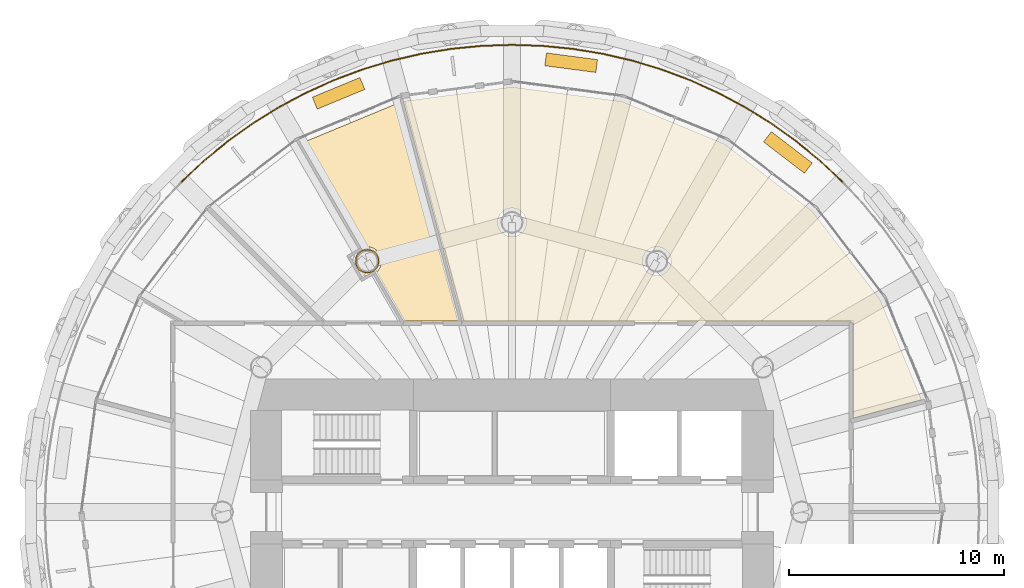
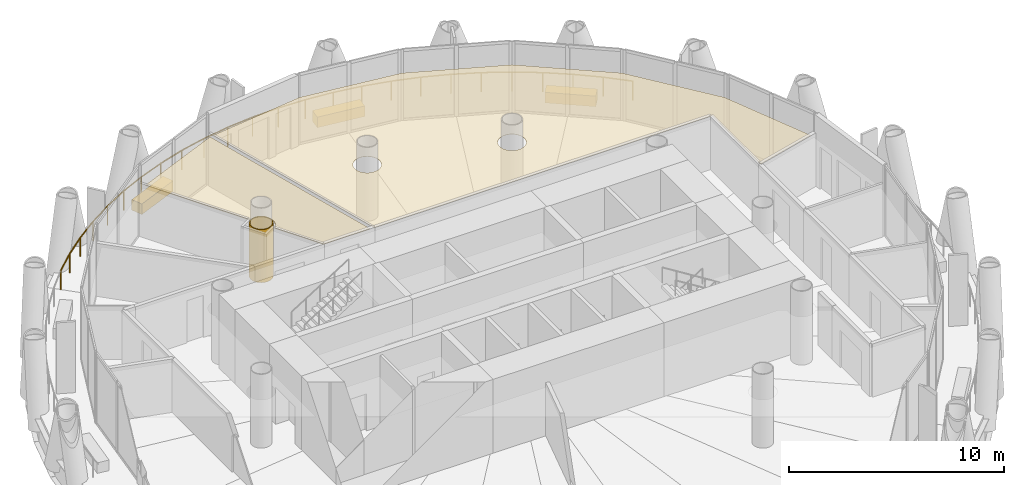
# One storey, part 15 of 15: 6 coverings, 1 railing.
"""IFC4 building model written with IfcOpenShell, lengths in metres."""

from ifc_helpers import new_model, si_unit, direction, frame, origin, origin_2d, place, context, subcontext, project, spatial, polyline, rectangle, circle, outline, extrude, material, layer, layer_set, type_object, element, save


model = new_model("IFC4")

# Units and contexts
model_context = context("Model", 3, precision=1e-05, world=origin(), true_north=direction((0.0, 1.0)))
body_context = subcontext(model_context, "Body", "Model", "MODEL_VIEW")
ifc_project = project(units=[si_unit("LENGTHUNIT", "METRE"), si_unit("AREAUNIT", "SQUARE_METRE"), si_unit("VOLUMEUNIT", "CUBIC_METRE"), si_unit("PLANEANGLEUNIT", "RADIAN"), si_unit("MASSUNIT", "GRAM", prefix="KILO")], contexts=[model_context])

# Site, building, storey
site_placement = place(None, origin())
site = spatial("IfcSite", under=ifc_project, at=site_placement, CompositionType="ELEMENT")
building_placement = place(site_placement, origin())
building = spatial("IfcBuilding", under=site, at=building_placement, Name="Qaws Media Tower", CompositionType="ELEMENT")
storey_placement = place(building_placement, frame((0.0, 0.0, 231.800048828125)))
storey = spatial("IfcBuildingStorey", under=building, at=storey_placement, Name="L53", CompositionType="ELEMENT", Elevation=231.800048828125)

# Covering
ifc_material_1 = material(Name="40 perforated acoustic panels with mineral wool backing, suspended", Category="mineral fibre")
ifc_layer_1 = layer(ifc_material_1, 0.0400390625)
ifc_layer_set_1 = layer_set([ifc_layer_1], Name="Acoustic panel ceiling 40")
covering_type_1 = type_object("IfcCoveringType", Name="Acoustic panel ceiling 40", PredefinedType="CEILING", material=ifc_layer_set_1)
covering_1_placement = place(storey_placement, frame((0.0, 0.0, 2.849853515625)))
element("IfcCovering", 1, at=covering_1_placement, inside=storey, type_object=covering_type_1, Name="CL3 ceiling L53-04 Meeting room", PredefinedType="CEILING", context=body_context, shape_type="SweptSolid", body=[
    extrude(outline(polyline([(54.767822265625, 69.091796875), (57.495361328125, 58.91259765625), (54.984375, 58.91259765625), (53.676025390625, 61.178466796875), (53.722412109375, 61.218994140625), (53.780029296875, 61.28466796875), (53.82861328125, 61.357421875), (53.8671875, 61.435791015625), (53.895263671875, 61.5185546875), (53.912353515625, 61.604248046875), (53.91796875, 61.69140625), (53.912353515625, 61.778564453125), (53.895263671875, 61.8642578125), (53.8671875, 61.947021484375), (53.82861328125, 62.025390625), (53.780029296875, 62.097900390625), (53.722412109375, 62.163818359375), (53.65673828125, 62.22119140625), (53.583984375, 62.269775390625), (53.505615234375, 62.30859375), (53.4228515625, 62.336669921875), (53.337158203125, 62.353515625), (53.25, 62.359375), (53.162841796875, 62.353515625), (53.0771484375, 62.336669921875), (53.018798828125, 62.31689453125), (50.19970703125, 67.19970703125), (54.767822265625, 69.091796875)])), origin(), (0.0, 0.0, 1.0), 0.0400390625),
])

# Railing
ifc_material_2 = material(Name="Stainless steel and glass guard", Category="steel")
railing_type = type_object("IfcRailingType", Name="Balcony guard 1100", PredefinedType="GUARDRAIL", material=ifc_material_2)
railing_placement = place(storey_placement, frame((75.397216796875, 65.397216796875, 0.0)))
element("IfcRailing", 2, at=railing_placement, inside=storey, type_object=railing_type, Name="GR1 balcony guard L53-1", PredefinedType="GUARDRAIL", context=body_context, shape_type="SweptSolid", body=[
    extrude(circle(Radius=0.02392578125, at=origin_2d()), frame((0.0, 0.0, 1.076171875), z_axis=(-0.729857696328, 0.683599109941, 0.0), x_axis=(-0.683599109941, -0.729857696328, 0.0)), (0.0, 0.0, 1.0), 1.425048828125),
    extrude(circle(Radius=0.02392578125, at=origin_2d()), frame((-1.0400390625, 0.97412109375, 1.076171875), z_axis=(-0.772933314015, 0.63448726708, 0.0), x_axis=(-0.63448726708, -0.772933314015, 0.0)), (0.0, 0.0, 1.0), 1.4248046875),
    extrude(circle(Radius=0.02392578125, at=origin_2d()), frame((-2.141357421875, 1.878173828125, 1.076171875), z_axis=(-0.812887435477, 0.582420824871, 0.0), x_axis=(-0.582420824871, -0.812887435477, 0.0)), (0.0, 0.0, 1.0), 1.4248046875),
    extrude(circle(Radius=0.02392578125, at=origin_2d()), frame((-3.299560546875, 2.7080078125, 1.076171875), z_axis=(-0.849237572214, 0.528010933541, 0.0), x_axis=(-0.528010933541, -0.849237572214, 0.0)), (0.0, 0.0, 1.0), 1.425048828125),
    extrude(circle(Radius=0.02392578125, at=origin_2d()), frame((-4.509765625, 3.46044921875, 1.076171875), z_axis=(-0.881930440508, 0.471379569038, 0.0), x_axis=(-0.471379569038, -0.881930440508, 0.0)), (0.0, 0.0, 1.0), 1.4248046875),
    extrude(circle(Radius=0.02392578125, at=origin_2d()), frame((-5.766357421875, 4.132080078125, 1.076171875), z_axis=(-0.910841168235, 0.412757030526, 0.0), x_axis=(-0.412757030526, -0.910841168235, 0.0)), (0.0, 0.0, 1.0), 1.4248046875),
    extrude(circle(Radius=0.02392578125, at=origin_2d()), frame((-7.064208984375, 4.72021484375, 1.076171875), z_axis=(-0.935913133581, 0.352230899257, 0.0), x_axis=(-0.352230899257, -0.935913133581, 0.0)), (0.0, 0.0, 1.0), 1.425048828125),
    extrude(circle(Radius=0.02392578125, at=origin_2d()), frame((-8.39794921875, 5.22216796875, 1.076171875), z_axis=(-0.956949437038, 0.290254672577, 0.0), x_axis=(-0.290254672577, -0.956949437038, 0.0)), (0.0, 0.0, 1.0), 1.4248046875),
    extrude(circle(Radius=0.02392578125, at=origin_2d()), frame((-9.761474609375, 5.6357421875, 1.076171875), z_axis=(-0.973851318993, 0.227186285888, 0.0), x_axis=(-0.227186285888, -0.973851318993, 0.0)), (0.0, 0.0, 1.0), 1.425048828125),
    extrude(circle(Radius=0.02392578125, at=origin_2d()), frame((-11.149169921875, 5.95947265625, 1.076171875), z_axis=(-0.986661217493, 0.162787106047, 0.0), x_axis=(-0.162787106047, -0.986661217493, 0.0)), (0.0, 0.0, 1.0), 1.4248046875),
    extrude(circle(Radius=0.02392578125, at=origin_2d()), frame((-12.554931640625, 6.19140625, 1.076171875), z_axis=(-0.995187008526, 0.097993969509, 0.0), x_axis=(-0.097993969509, -0.995187008526, 0.0)), (0.0, 0.0, 1.0), 1.425048828125),
    extrude(circle(Radius=0.02392578125, at=origin_2d()), frame((-13.97314453125, 6.3310546875, 1.076171875), z_axis=(-0.999464322119, 0.032727187644, 0.0), x_axis=(-0.032727187644, -0.999464322119, 0.0)), (0.0, 0.0, 1.0), 1.4248046875),
    extrude(circle(Radius=0.02392578125, at=origin_2d()), frame((-15.397216796875, 6.377685546875, 1.076171875), z_axis=(-0.999464322119, -0.032727187644, 0.0), x_axis=(0.032727187644, -0.999464322119, 0.0)), (0.0, 0.0, 1.0), 1.4248046875),
    extrude(circle(Radius=0.02392578125, at=origin_2d()), frame((-16.8212890625, 6.3310546875, 1.076171875), z_axis=(-0.995187008526, -0.097993969509, 0.0), x_axis=(0.097993969509, -0.995187008526, 0.0)), (0.0, 0.0, 1.0), 1.425048828125),
    extrude(circle(Radius=0.02392578125, at=origin_2d()), frame((-18.239501953125, 6.19140625, 1.076171875), z_axis=(-0.986661217493, -0.162787106047, 0.0), x_axis=(0.162787106047, -0.986661217493, 0.0)), (0.0, 0.0, 1.0), 1.4248046875),
    extrude(circle(Radius=0.02392578125, at=origin_2d()), frame((-19.645263671875, 5.95947265625, 1.076171875), z_axis=(-0.973851318993, -0.227186285888, 0.0), x_axis=(0.227186285888, -0.973851318993, 0.0)), (0.0, 0.0, 1.0), 1.425048828125),
    extrude(circle(Radius=0.02392578125, at=origin_2d()), frame((-21.032958984375, 5.6357421875, 1.076171875), z_axis=(-0.956949437038, -0.290254672577, 0.0), x_axis=(0.290254672577, -0.956949437038, 0.0)), (0.0, 0.0, 1.0), 1.4248046875),
    extrude(circle(Radius=0.02392578125, at=origin_2d()), frame((-22.396484375, 5.22216796875, 1.076171875), z_axis=(-0.935913133581, -0.352230899257, 0.0), x_axis=(0.352230899257, -0.935913133581, 0.0)), (0.0, 0.0, 1.0), 1.425048828125),
    extrude(circle(Radius=0.02392578125, at=origin_2d()), frame((-23.730224609375, 4.72021484375, 1.076171875), z_axis=(-0.910841168235, -0.412757030526, 0.0), x_axis=(0.412757030526, -0.910841168235, 0.0)), (0.0, 0.0, 1.0), 1.4248046875),
    extrude(circle(Radius=0.02392578125, at=origin_2d()), frame((-25.028076171875, 4.132080078125, 1.076171875), z_axis=(-0.881930440508, -0.471379569038, 0.0), x_axis=(0.471379569038, -0.881930440508, 0.0)), (0.0, 0.0, 1.0), 1.4248046875),
    extrude(circle(Radius=0.02392578125, at=origin_2d()), frame((-26.28466796875, 3.46044921875, 1.076171875), z_axis=(-0.849237572214, -0.528010933541, 0.0), x_axis=(0.528010933541, -0.849237572214, 0.0)), (0.0, 0.0, 1.0), 1.425048828125),
    extrude(circle(Radius=0.02392578125, at=origin_2d()), frame((-27.494873046875, 2.7080078125, 1.076171875), z_axis=(-0.812887435477, -0.582420824871, 0.0), x_axis=(0.582420824871, -0.812887435477, 0.0)), (0.0, 0.0, 1.0), 1.4248046875),
    extrude(circle(Radius=0.02392578125, at=origin_2d()), frame((-28.653076171875, 1.878173828125, 1.076171875), z_axis=(-0.772933314015, -0.63448726708, 0.0), x_axis=(0.63448726708, -0.772933314015, 0.0)), (0.0, 0.0, 1.0), 1.4248046875),
    extrude(circle(Radius=0.02392578125, at=origin_2d()), frame((-29.75439453125, 0.97412109375, 1.076171875), z_axis=(-0.729857696328, -0.683599109941, 0.0), x_axis=(0.683599109941, -0.729857696328, 0.0)), (0.0, 0.0, 1.0), 1.425048828125),
    extrude(circle(Radius=0.02099609375, at=origin_2d()), origin(), (0.0, 0.0, 1.0), 1.052001953125),
    extrude(circle(Radius=0.02099609375, at=origin_2d()), frame((-1.0400390625, 0.97412109375, 0.0)), (0.0, 0.0, 1.0), 1.052001953125),
    extrude(circle(Radius=0.02099609375, at=origin_2d()), frame((-2.141357421875, 1.878173828125, 0.0)), (0.0, 0.0, 1.0), 1.052001953125),
    extrude(circle(Radius=0.02099609375, at=origin_2d()), frame((-3.299560546875, 2.7080078125, 0.0)), (0.0, 0.0, 1.0), 1.052001953125),
    extrude(circle(Radius=0.02099609375, at=origin_2d()), frame((-4.509765625, 3.46044921875, 0.0)), (0.0, 0.0, 1.0), 1.052001953125),
    extrude(circle(Radius=0.02099609375, at=origin_2d()), frame((-5.766357421875, 4.132080078125, 0.0)), (0.0, 0.0, 1.0), 1.052001953125),
    extrude(circle(Radius=0.02099609375, at=origin_2d()), frame((-7.064208984375, 4.72021484375, 0.0)), (0.0, 0.0, 1.0), 1.052001953125),
    extrude(circle(Radius=0.02099609375, at=origin_2d()), frame((-8.39794921875, 5.22216796875, 0.0)), (0.0, 0.0, 1.0), 1.052001953125),
    extrude(circle(Radius=0.02099609375, at=origin_2d()), frame((-9.761474609375, 5.6357421875, 0.0)), (0.0, 0.0, 1.0), 1.052001953125),
    extrude(circle(Radius=0.02099609375, at=origin_2d()), frame((-11.149169921875, 5.95947265625, 0.0)), (0.0, 0.0, 1.0), 1.052001953125),
    extrude(circle(Radius=0.02099609375, at=origin_2d()), frame((-12.554931640625, 6.19140625, 0.0)), (0.0, 0.0, 1.0), 1.052001953125),
    extrude(circle(Radius=0.02099609375, at=origin_2d()), frame((-13.97314453125, 6.3310546875, 0.0)), (0.0, 0.0, 1.0), 1.052001953125),
    extrude(circle(Radius=0.02099609375, at=origin_2d()), frame((-15.397216796875, 6.377685546875, 0.0)), (0.0, 0.0, 1.0), 1.052001953125),
    extrude(circle(Radius=0.02099609375, at=origin_2d()), frame((-16.8212890625, 6.3310546875, 0.0)), (0.0, 0.0, 1.0), 1.052001953125),
    extrude(circle(Radius=0.02099609375, at=origin_2d()), frame((-18.239501953125, 6.19140625, 0.0)), (0.0, 0.0, 1.0), 1.052001953125),
    extrude(circle(Radius=0.02099609375, at=origin_2d()), frame((-19.645263671875, 5.95947265625, 0.0)), (0.0, 0.0, 1.0), 1.052001953125),
    extrude(circle(Radius=0.02099609375, at=origin_2d()), frame((-21.032958984375, 5.6357421875, 0.0)), (0.0, 0.0, 1.0), 1.052001953125),
    extrude(circle(Radius=0.02099609375, at=origin_2d()), frame((-22.396484375, 5.22216796875, 0.0)), (0.0, 0.0, 1.0), 1.052001953125),
    extrude(circle(Radius=0.02099609375, at=origin_2d()), frame((-23.730224609375, 4.72021484375, 0.0)), (0.0, 0.0, 1.0), 1.052001953125),
    extrude(circle(Radius=0.02099609375, at=origin_2d()), frame((-25.028076171875, 4.132080078125, 0.0)), (0.0, 0.0, 1.0), 1.052001953125),
    extrude(circle(Radius=0.02099609375, at=origin_2d()), frame((-26.28466796875, 3.46044921875, 0.0)), (0.0, 0.0, 1.0), 1.052001953125),
    extrude(circle(Radius=0.02099609375, at=origin_2d()), frame((-27.494873046875, 2.7080078125, 0.0)), (0.0, 0.0, 1.0), 1.052001953125),
    extrude(circle(Radius=0.02099609375, at=origin_2d()), frame((-28.653076171875, 1.878173828125, 0.0)), (0.0, 0.0, 1.0), 1.052001953125),
    extrude(circle(Radius=0.02099609375, at=origin_2d()), frame((-29.75439453125, 0.97412109375, 0.0)), (0.0, 0.0, 1.0), 1.052001953125),
    extrude(circle(Radius=0.02099609375, at=origin_2d()), frame((-30.79443359375, 0.0, 0.0)), (0.0, 0.0, 1.0), 1.052001953125),
])

# Coverings
ifc_material_3 = material(Name="Two layers 15 fire-rated gypsum board on steel framing", Category="steel")
ifc_layer_2 = layer(ifc_material_3, 0.050048828125)
ifc_layer_set_2 = layer_set([ifc_layer_2], Name="Column fire casing")
covering_type_2 = type_object("IfcCoveringType", Name="Column fire casing", PredefinedType="CLADDING", material=ifc_layer_set_2)
covering_2_placement = place(storey_placement, origin())
element("IfcCovering", 3, at=covering_2_placement, inside=storey, type_object=covering_type_2, Name="CC1 column casing L53", PredefinedType="CLADDING", context=body_context, shape_type="SweptSolid", body=[
    extrude(outline(polyline([(53.81298828125, 61.69140625), (53.80810546875, 61.617919921875), (53.793701171875, 61.545654296875), (53.77001953125, 61.475830078125), (53.737548828125, 61.409912109375), (53.69677734375, 61.3486328125), (53.648193359375, 61.293212890625), (53.5927734375, 61.24462890625), (53.531494140625, 61.203857421875), (53.465576171875, 61.171142578125), (53.395751953125, 61.1474609375), (53.323486328125, 61.13330078125), (53.25, 61.12841796875), (53.176513671875, 61.13330078125), (53.104248046875, 61.1474609375), (53.034423828125, 61.171142578125), (52.968505859375, 61.203857421875), (52.9072265625, 61.24462890625), (52.851806640625, 61.293212890625), (52.80322265625, 61.3486328125), (52.762451171875, 61.409912109375), (52.72998046875, 61.475830078125), (52.706298828125, 61.545654296875), (52.69189453125, 61.617919921875), (52.68701171875, 61.69140625), (52.69189453125, 61.764892578125), (52.706298828125, 61.837158203125), (52.72998046875, 61.90673828125), (52.762451171875, 61.972900390625), (52.80322265625, 62.0341796875), (52.851806640625, 62.08935546875), (52.9072265625, 62.137939453125), (52.968505859375, 62.178955078125), (53.034423828125, 62.21142578125), (53.104248046875, 62.235107421875), (53.176513671875, 62.24951171875), (53.25, 62.25439453125), (53.323486328125, 62.24951171875), (53.395751953125, 62.235107421875), (53.465576171875, 62.21142578125), (53.531494140625, 62.178955078125), (53.5927734375, 62.137939453125), (53.648193359375, 62.08935546875), (53.69677734375, 62.0341796875), (53.737548828125, 61.972900390625), (53.77001953125, 61.90673828125), (53.793701171875, 61.837158203125), (53.80810546875, 61.764892578125), (53.81298828125, 61.69140625)]), holes=[polyline([(53.760986328125, 61.69140625), (53.756591796875, 61.62451171875), (53.74365234375, 61.55908203125), (53.72216796875, 61.495849609375), (53.6923828125, 61.435791015625), (53.655517578125, 61.38037109375), (53.611328125, 61.330078125), (53.56103515625, 61.285888671875), (53.505615234375, 61.248779296875), (53.445556640625, 61.21923828125), (53.38232421875, 61.19775390625), (53.316650390625, 61.184814453125), (53.25, 61.180419921875), (53.183349609375, 61.184814453125), (53.11767578125, 61.19775390625), (53.054443359375, 61.21923828125), (52.994384765625, 61.248779296875), (52.93896484375, 61.285888671875), (52.888671875, 61.330078125), (52.844482421875, 61.38037109375), (52.8076171875, 61.435791015625), (52.77783203125, 61.495849609375), (52.75634765625, 61.55908203125), (52.743408203125, 61.62451171875), (52.739013671875, 61.69140625), (52.743408203125, 61.758056640625), (52.75634765625, 61.823486328125), (52.77783203125, 61.886962890625), (52.8076171875, 61.94677734375), (52.844482421875, 62.00244140625), (52.888671875, 62.052734375), (52.93896484375, 62.0966796875), (52.994384765625, 62.1337890625), (53.054443359375, 62.163330078125), (53.11767578125, 62.184814453125), (53.183349609375, 62.197998046875), (53.25, 62.202392578125), (53.316650390625, 62.197998046875), (53.38232421875, 62.184814453125), (53.445556640625, 62.163330078125), (53.505615234375, 62.1337890625), (53.56103515625, 62.0966796875), (53.611328125, 62.052734375), (53.655517578125, 62.00244140625), (53.6923828125, 61.94677734375), (53.72216796875, 61.886962890625), (53.74365234375, 61.823486328125), (53.756591796875, 61.758056640625), (53.760986328125, 61.69140625)])]), origin(), (0.0, 0.0, 1.0), 3.02001953125),
])
ifc_material_4 = material(Name="600 x 600 mineral fibre tiles in exposed grid, suspended", Category="mineral fibre")
ifc_layer_3 = layer(ifc_material_4, 0.02001953125)
ifc_layer_set_3 = layer_set([ifc_layer_3], Name="Mineral fibre tile ceiling 20")
covering_type_3 = type_object("IfcCoveringType", Name="Mineral fibre tile ceiling 20", PredefinedType="CEILING", material=ifc_layer_set_3)
covering_3_placement = place(storey_placement, frame((0.0, 0.0, 2.849853515625)))
element("IfcCovering", 4, at=covering_3_placement, inside=storey, type_object=covering_type_3, Name="CL1 ceiling L53-03 Tenant office", PredefinedType="CEILING", context=body_context, shape_type="SweptSolid", body=[
    extrude(outline(polyline([(60.0, 69.810302734375), (65.127197265625, 69.13525390625), (69.905029296875, 67.15625), (74.008056640625, 64.008056640625), (77.15625, 59.905029296875), (79.091796875, 55.232177734375), (75.91259765625, 54.380126953125), (75.91259765625, 58.91259765625), (57.728515625, 58.91259765625), (54.985107421875, 69.14990234375), (60.0, 69.810302734375)]), holes=[polyline([(60.6171875, 63.244384765625), (60.645263671875, 63.3271484375), (60.662353515625, 63.412841796875), (60.66796875, 63.5), (60.662353515625, 63.587158203125), (60.645263671875, 63.6728515625), (60.6171875, 63.755615234375), (60.57861328125, 63.833984375), (60.530029296875, 63.90673828125), (60.472412109375, 63.972412109375), (60.40673828125, 64.030029296875), (60.333984375, 64.07861328125), (60.255615234375, 64.1171875), (60.1728515625, 64.145263671875), (60.087158203125, 64.162353515625), (60.0, 64.16796875), (59.912841796875, 64.162353515625), (59.8271484375, 64.145263671875), (59.744384765625, 64.1171875), (59.666015625, 64.07861328125), (59.59326171875, 64.030029296875), (59.527587890625, 63.972412109375), (59.469970703125, 63.90673828125), (59.42138671875, 63.833984375), (59.3828125, 63.755615234375), (59.354736328125, 63.6728515625), (59.337646484375, 63.587158203125), (59.33203125, 63.5), (59.337646484375, 63.412841796875), (59.354736328125, 63.3271484375), (59.3828125, 63.244384765625), (59.42138671875, 63.166015625), (59.469970703125, 63.09326171875), (59.527587890625, 63.027587890625), (59.59326171875, 62.969970703125), (59.666015625, 62.92138671875), (59.744384765625, 62.8828125), (59.8271484375, 62.854736328125), (59.912841796875, 62.837646484375), (60.0, 62.83203125), (60.087158203125, 62.837646484375), (60.1728515625, 62.854736328125), (60.255615234375, 62.8828125), (60.333984375, 62.92138671875), (60.40673828125, 62.969970703125), (60.472412109375, 63.027587890625), (60.530029296875, 63.09326171875), (60.57861328125, 63.166015625), (60.6171875, 63.244384765625)]), polyline([(67.3671875, 61.435791015625), (67.395263671875, 61.5185546875), (67.412353515625, 61.604248046875), (67.41796875, 61.69140625), (67.412353515625, 61.778564453125), (67.395263671875, 61.8642578125), (67.3671875, 61.947021484375), (67.32861328125, 62.025390625), (67.280029296875, 62.097900390625), (67.222412109375, 62.163818359375), (67.15673828125, 62.22119140625), (67.083984375, 62.269775390625), (67.005615234375, 62.30859375), (66.9228515625, 62.336669921875), (66.837158203125, 62.353515625), (66.75, 62.359375), (66.662841796875, 62.353515625), (66.5771484375, 62.336669921875), (66.494384765625, 62.30859375), (66.416015625, 62.269775390625), (66.34326171875, 62.22119140625), (66.277587890625, 62.163818359375), (66.219970703125, 62.097900390625), (66.17138671875, 62.025390625), (66.1328125, 61.947021484375), (66.104736328125, 61.8642578125), (66.087646484375, 61.778564453125), (66.08203125, 61.69140625), (66.087646484375, 61.604248046875), (66.104736328125, 61.5185546875), (66.1328125, 61.435791015625), (66.17138671875, 61.357421875), (66.219970703125, 61.28466796875), (66.277587890625, 61.218994140625), (66.34326171875, 61.161376953125), (66.416015625, 61.11279296875), (66.494384765625, 61.07421875), (66.5771484375, 61.046142578125), (66.662841796875, 61.029052734375), (66.75, 61.023193359375), (66.837158203125, 61.029052734375), (66.9228515625, 61.046142578125), (67.005615234375, 61.07421875), (67.083984375, 61.11279296875), (67.15673828125, 61.161376953125), (67.222412109375, 61.218994140625), (67.280029296875, 61.28466796875), (67.32861328125, 61.357421875), (67.3671875, 61.435791015625)])]), origin(), (0.0, 0.0, 1.0), 0.02001953125),
])
ifc_material_5 = material(Name="Precast concrete planter with trailing planting", Category="concrete")
ifc_layer_4 = layer(ifc_material_5, 0.60009765625)
ifc_layer_set_4 = layer_set([ifc_layer_4], Name="Planter 2400x600")
covering_type_4 = type_object("IfcCoveringType", Name="Planter 2400x600", PredefinedType="USERDEFINED", material=ifc_layer_set_4)
for number, where, z_axis, x_axis, name in (
    (5, (72.860107421875, 66.759521484375, 0.0), (0.0, 0.0, 1.0), (-0.793353340291, 0.608761429009, 0.0), "PL1 balcony planter L53-02"),
    (6, (62.75732421875, 70.9443359375, 0.0), (0.0, 0.0, 1.0), (-0.991444861374, 0.13052619222, 0.0), "PL1 balcony planter L53-03"),
    (7, (51.915771484375, 69.516845703125, 0.0), (0.0, 0.0, 1.0), (-0.923879532511, -0.382683432365, 0.0), "PL1 balcony planter L53-04"),
):
    element("IfcCovering", number, at=place(storey_placement, frame(where, z_axis=z_axis, x_axis=x_axis)), inside=storey, type_object=covering_type_4, Name=name, ObjectType="PLANTER", PredefinedType="USERDEFINED", context=body_context, shape_type="SweptSolid", body=[
        extrude(rectangle(XDim=2.39990234375, YDim=0.60009765625, at=origin_2d()), origin(), (0.0, 0.0, 1.0), 0.60009765625),
    ])

save(model, "model.ifc")
